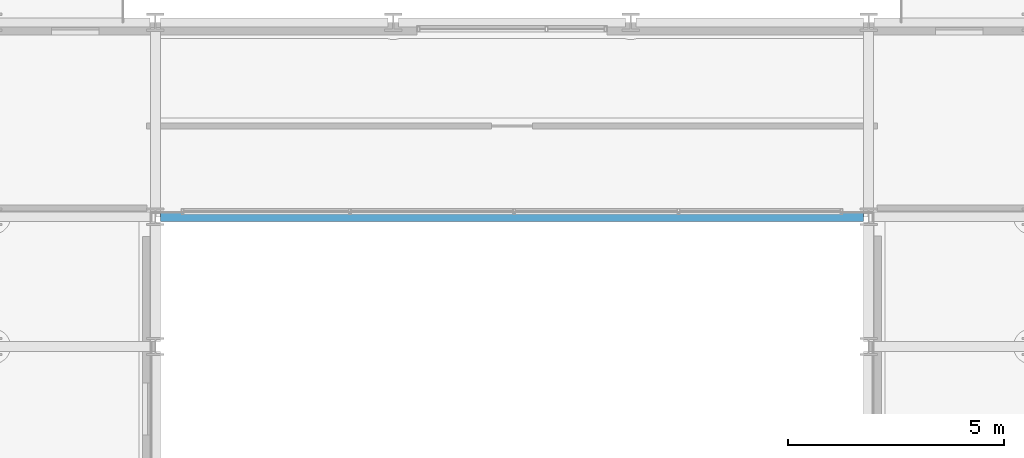
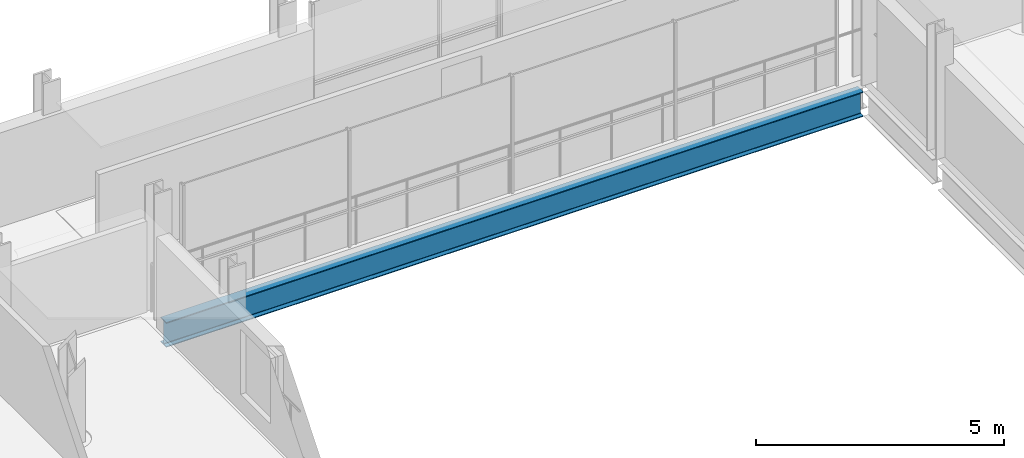
# One storey, part 12 of 41: 1 beam.
"""IFC4 building model written with IfcOpenShell, lengths in metres."""

from ifc_helpers import new_model, si_unit, direction, frame, origin, origin_2d, place, context, subcontext, project, spatial, i_section, extrude, material, material_profile, profile_set, type_object, element, save


model = new_model("IFC4")

# Units and contexts
model_context = context("Model", 3, precision=1e-05, world=origin(), true_north=direction((0.0, 1.0)))
body_context = subcontext(model_context, "Body", "Model", "MODEL_VIEW")
ifc_project = project(units=[si_unit("LENGTHUNIT", "METRE"), si_unit("AREAUNIT", "SQUARE_METRE"), si_unit("VOLUMEUNIT", "CUBIC_METRE"), si_unit("PLANEANGLEUNIT", "RADIAN"), si_unit("MASSUNIT", "GRAM", prefix="KILO")], contexts=[model_context])

# Site, building, storey
site_placement = place(None, origin())
site = spatial("IfcSite", under=ifc_project, at=site_placement, CompositionType="ELEMENT")
building_placement = place(site_placement, origin())
building = spatial("IfcBuilding", under=site, at=building_placement, Name="Brevholm Reach", CompositionType="ELEMENT")
storey_placement = place(building_placement, frame((0.0, 0.0, 151.10009765625)))
storey = spatial("IfcBuildingStorey", under=building, at=storey_placement, Name="L45", CompositionType="ELEMENT", Elevation=151.10009765625)

# Beam
ifc_material = material(Name="Structural Steel S355J2", Category="steel")
ifc_material_profile = material_profile(ifc_material, i_section(OverallWidth=0.22900390625, OverallDepth=0.6123046875, WebThickness=0.011962890625, FlangeThickness=0.01953125, FilletRadius=0.0126953125, at=origin_2d()), Name="UKB 610x229x125")
ifc_profile_set = profile_set([ifc_material_profile], Name="Structural Steel S355J2")
beam_type = type_object("IfcBeamType", Name="BM-SP610", PredefinedType="SPANDREL", material=ifc_profile_set)
beam_placement = place(storey_placement, frame((21.8701171875, 26.5, -0.526123046875), z_axis=(1.0, 0.0, 0.0), x_axis=(0.0, 1.0, 0.0)))
element("IfcBeam", 1, at=beam_placement, inside=storey, type_object=beam_type, Name="L45 SP-01 Framing Beam", PredefinedType="SPANDREL", context=body_context, shape_type="SweptSolid", body=[
    extrude(i_section(OverallWidth=0.22900390625, OverallDepth=0.6123046875, WebThickness=0.011962890625, FlangeThickness=0.01953125, FilletRadius=0.0126953125, at=origin_2d()), origin(), (0.0, 0.0, 1.0), 16.259765625),
])

save(model, "model.ifc")
